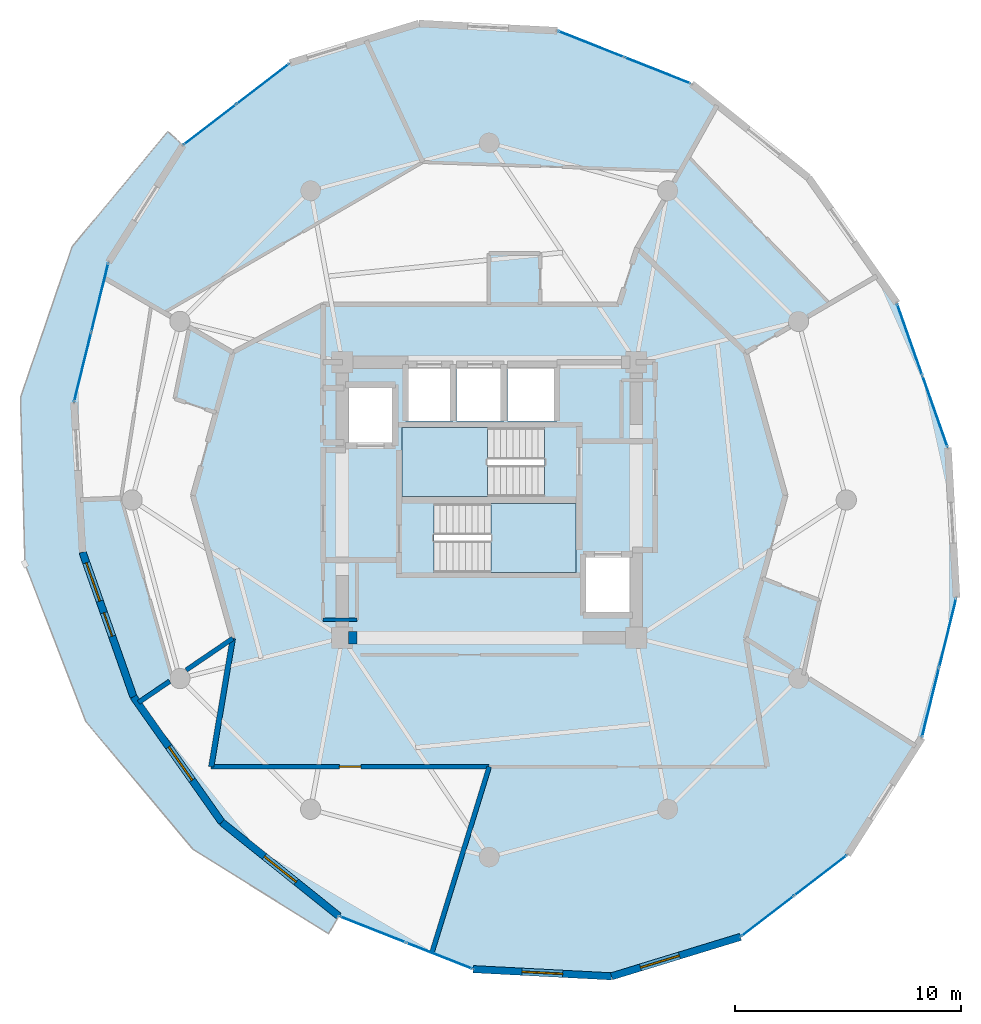
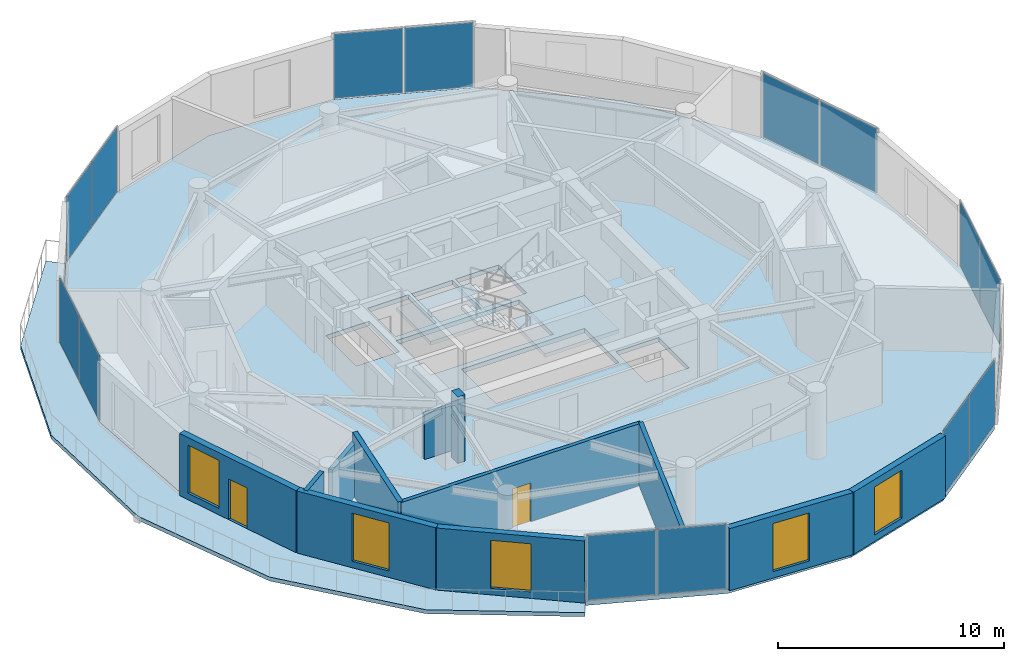
# One storey, part 13 of 18: 14 plates, 12 walls, 5 windows, 4 slabs, 2 doors, 7 openings, 9 elements without a shape of their own.
"""IFC4 building model written with IfcOpenShell, lengths in metres."""

from ifc_helpers import new_model, si_unit, direction, frame, frame_2d, origin, origin_2d, place, context, subcontext, project, spatial, polyline, rectangle, outline, extrude, source, transform, mapped, material, layer, layer_set, type_object, element, fill, aggregate, save


model = new_model("IFC4")

# Units and contexts
model_context = context("Model", 3, precision=1e-05, world=origin(), true_north=direction((0.0, 1.0)))
body_context = subcontext(model_context, "Body", "Model", "MODEL_VIEW")
ifc_project = project(units=[si_unit("LENGTHUNIT", "METRE"), si_unit("AREAUNIT", "SQUARE_METRE"), si_unit("VOLUMEUNIT", "CUBIC_METRE"), si_unit("PLANEANGLEUNIT", "RADIAN"), si_unit("MASSUNIT", "GRAM", prefix="KILO")], contexts=[model_context])

# Site, building, storey
site_placement = place(None, origin())
site = spatial("IfcSite", under=ifc_project, at=site_placement, CompositionType="ELEMENT")
building_placement = place(site_placement, origin())
building = spatial("IfcBuilding", under=site, at=building_placement, Name="Solvirekh Grand Hotel", CompositionType="ELEMENT")
storey_placement = place(building_placement, frame((0.0, 0.0, 198.39990234375)))
storey = spatial("IfcBuildingStorey", under=building, at=storey_placement, Name="L51", CompositionType="ELEMENT", Elevation=198.39990234375)

# Slab
ifc_material_1 = material(Name="Concrete C50/60", Category="concrete")
ifc_layer_1 = layer(ifc_material_1, 0.215087890625)
ifc_layer_set_1 = layer_set([ifc_layer_1], Name="Concrete C50/60")
slab_type_1 = type_object("IfcSlabType", Name="ExtCrescentBalc_215", PredefinedType="FLOOR", material=ifc_layer_set_1)
slab_1_placement = place(storey_placement, frame((0.0, 0.0, -0.21484375)))
element("IfcSlab", 1, at=slab_1_placement, inside=storey, type_object=slab_type_1, Name="L51 sweeping crescent balcony slab", PredefinedType="FLOOR", context=body_context, shape_type="SweptSolid", body=[
    extrude(outline(polyline([(-14.215087890625, 16.300048828125), (-18.451904296875, 11.202880859375), (-20.73388671875, 4.529052734375), (-20.5390625, -2.823974609375), (-17.844970703125, -9.7958984375), (-13.10693359375, -15.451904296875), (-7.10595703125, -19.18505859375), (-6.652099609375, -18.407958984375), (-11.830078125, -14.256103515625), (-15.737060546875, -8.7080078125), (-17.990966796875, -2.30908203125), (-18.37109375, 4.31689453125), (-16.841064453125, 10.52001953125), (-13.549072265625, 15.694091796875), (-14.215087890625, 16.300048828125)])), origin(), (0.0, 0.0, 1.0), 0.21484375),
])

# Stair, slab
ifc_material_2 = material(Name="Concrete C40/50", Category="concrete")
stair_type = type_object("IfcStairType", Name="Stair_Core_1450", PredefinedType="HALF_TURN_STAIR", material=ifc_material_2)
stair_1_placement = place(storey_placement, origin())
stair_1 = element("IfcStair", 2, at=stair_1_placement, inside=storey, type_object=stair_type, Name="L51 Enclosed exit stair ST-1", PredefinedType="HALF_TURN_STAIR")
ifc_layer_2 = layer(ifc_material_2, 0.199951171875)
ifc_layer_set_2 = layer_set([ifc_layer_2], Name="Concrete C40/50")
slab_type_2 = type_object("IfcSlabType", Name="Landing_Stair_200", PredefinedType="LANDING", material=ifc_layer_set_2)
slab_2_placement = place(storey_placement, frame((0.0, 0.0, 1.60009765625)))
slab_2 = element("IfcSlab", 3, at=slab_2_placement, type_object=slab_type_2, Name="ST-1 landing 1", PredefinedType="LANDING", context=body_context, shape_type="SweptSolid", body=[
    extrude(outline(polyline([(0.070068359375, -3.199951171875), (3.85009765625, -3.199951171875), (3.85009765625, -0.14990234375), (0.070068359375, -0.14990234375), (0.070068359375, -3.199951171875)])), origin(), (0.0, 0.0, 1.0), 0.199951171875),
])
aggregate(stair_1, [slab_2])

stair_2_placement = place(storey_placement, origin())
stair_2 = element("IfcStair", 4, at=stair_2_placement, inside=storey, type_object=stair_type, Name="L51 Enclosed exit stair ST-2", PredefinedType="HALF_TURN_STAIR")
slab_3_placement = place(storey_placement, frame((0.0, 0.0, 1.60009765625)))
slab_3 = element("IfcSlab", 5, at=slab_3_placement, type_object=slab_type_2, Name="ST-2 landing 1", PredefinedType="LANDING", context=body_context, shape_type="SweptSolid", body=[
    extrude(outline(polyline([(-0.070068359375, 3.199951171875), (-3.85009765625, 3.199951171875), (-3.85009765625, 0.14990234375), (-0.070068359375, 0.14990234375), (-0.070068359375, 3.199951171875)])), origin(), (0.0, 0.0, 1.0), 0.199951171875),
])
aggregate(stair_2, [slab_3])

# Slab
ifc_layer_3 = layer(ifc_material_2, 0.239990234375)
ifc_layer_set_3 = layer_set([ifc_layer_3], Name="Concrete C40/50")
slab_type_3 = type_object("IfcSlabType", Name="Slab_GuestZ3_240", PredefinedType="FLOOR", material=ifc_layer_set_3)
slab_4_placement = place(storey_placement, frame((0.0, 0.0, -0.239990234375)))
element("IfcSlab", 6, at=slab_4_placement, inside=storey, type_object=slab_type_3, Name="L51 structural floor slab", PredefinedType="FLOOR", context=body_context, shape_type="SweptSolid", body=[
    extrude(outline(polyline([(11.118896484375, -19.3310546875), (15.84912109375, -15.694091796875), (19.14111328125, -10.52001953125), (20.6708984375, -4.31689453125), (20.291015625, 2.30908203125), (18.037109375, 8.7080078125), (14.1298828125, 14.256103515625), (8.951904296875, 18.407958984375), (3.010986328125, 20.758056640625), (-3.113037109375, 21.075927734375), (-8.819091796875, 19.3310546875), (-13.549072265625, 15.694091796875), (-16.841064453125, 10.52001953125), (-18.37109375, 4.31689453125), (-17.990966796875, -2.30908203125), (-15.737060546875, -8.7080078125), (-11.830078125, -14.256103515625), (-6.652099609375, -18.407958984375), (-0.7109375, -20.758056640625), (5.4130859375, -21.075927734375), (11.118896484375, -19.3310546875)]), holes=[polyline([(-2.444091796875, -0.14990234375), (3.85009765625, -0.14990234375), (3.85009765625, -3.199951171875), (-2.444091796875, -3.199951171875), (-2.444091796875, -0.14990234375)]), polyline([(2.444091796875, 0.14990234375), (-3.85009765625, 0.14990234375), (-3.85009765625, 3.199951171875), (2.444091796875, 3.199951171875), (2.444091796875, 0.14990234375)]), polyline([(-3.699951171875, 6.0), (-1.60009765625, 6.0), (-1.60009765625, 3.5), (-3.699951171875, 3.5), (-3.699951171875, 6.0)]), polyline([(-1.449951171875, 6.0), (0.64990234375, 6.0), (0.64990234375, 3.5), (-1.449951171875, 3.5), (-1.449951171875, 6.0)]), polyline([(0.800048828125, 6.0), (3.0, 6.0), (3.0, 3.5), (0.800048828125, 3.5), (0.800048828125, 6.0)]), polyline([(-6.35009765625, 5.10009765625), (-4.14990234375, 5.10009765625), (-4.14990234375, 2.39990234375), (-6.35009765625, 2.39990234375), (-6.35009765625, 5.10009765625)]), polyline([(4.14990234375, -2.39990234375), (6.35009765625, -2.39990234375), (6.35009765625, -5.10009765625), (4.14990234375, -5.10009765625), (4.14990234375, -2.39990234375)])]), origin(), (0.0, 0.0, 1.0), 0.239990234375),
])

# Curtain wall, plates
ifc_material_3 = material(Name="Anodized Bronze Aluminium 6063-T6", Category="aluminium")
ifc_layer_4 = layer(ifc_material_3, 0.159912109375)
ifc_layer_set_4 = layer_set([ifc_layer_4], Name="Anodized Bronze Aluminium 6063-T6")
curtain_wall_type = type_object("IfcCurtainWallType", Name="CW_Sys4_HighZoneFlushBronzeCW", PredefinedType="NOTDEFINED", material=ifc_layer_set_4)
curtain_wall_1_placement = place(storey_placement, origin())
curtain_wall_1 = element("IfcCurtainWall", 7, at=curtain_wall_1_placement, inside=storey, type_object=curtain_wall_type, Name="L51 unitised bronze-glass curtain wall CW-L51-C01", PredefinedType="NOTDEFINED")
ifc_material_4 = material(Name="Low-E Tinted Bronze Laminated Glass", Category="aluminium")
ifc_layer_5 = layer(ifc_material_4, 0.033935546875)
ifc_layer_set_5 = layer_set([ifc_layer_5], Name="Low-E Tinted Bronze Laminated Glass")
plate_type = type_object("IfcPlateType", Name="CWPanel_High_34", PredefinedType="CURTAIN_PANEL", material=ifc_layer_set_5)
shared_shape_1 = source(origin(), body_context, "Body", "SweptSolid", [
    extrude(rectangle(XDim=2.893310546875, YDim=0.033935546875, at=origin_2d()), origin(), (0.0, 0.0, 1.0), 3.489990234375),
])
plate_1_placement = place(storey_placement, frame((12.3134765625, -18.41259765625, 0.05517578125), z_axis=(0.0, 0.0, 1.0), x_axis=(0.792742352501, 0.609556857521, 0.0)))
plate_1 = element("IfcPlate", 8, at=plate_1_placement, type_object=plate_type, Name="U04 panel 1.1", PredefinedType="CURTAIN_PANEL", context=body_context, shape_type="MappedRepresentation", body=[
    mapped(shared_shape_1, transform((0.0, 0.0, 0.0), x_axis=(1.0, 0.0, 0.0), y_axis=(0.0, 1.0, 0.0), z_axis=(0.0, 0.0, 1.0), scale=1.0)),
])
plate_2_placement = place(storey_placement, frame((14.654541015625, -16.6123046875, 0.05517578125), z_axis=(0.0, 0.0, 1.0), x_axis=(0.792742352501, 0.609556857521, 0.0)))
plate_2 = element("IfcPlate", 9, at=plate_2_placement, type_object=plate_type, Name="U04 panel 2.1", PredefinedType="CURTAIN_PANEL", context=body_context, shape_type="MappedRepresentation", body=[
    mapped(shared_shape_1, transform((0.0, 0.0, 0.0), x_axis=(1.0, 0.0, 0.0), y_axis=(0.0, 1.0, 0.0), z_axis=(0.0, 0.0, 1.0), scale=1.0)),
])
aggregate(curtain_wall_1, [plate_1, plate_2])

curtain_wall_2_placement = place(storey_placement, origin())
curtain_wall_2 = element("IfcCurtainWall", 10, at=curtain_wall_2_placement, inside=storey, type_object=curtain_wall_type, Name="L51 unitised bronze-glass curtain wall CW-L51-C11", PredefinedType="NOTDEFINED")
plate_3_placement = place(storey_placement, frame((-10.013427734375, 18.41259765625, 0.05517578125), z_axis=(0.0, 0.0, 1.0), x_axis=(-0.792742352501, -0.609556857521, 0.0)))
plate_3 = element("IfcPlate", 11, at=plate_3_placement, type_object=plate_type, Name="U04 panel 1.1", PredefinedType="CURTAIN_PANEL", context=body_context, shape_type="MappedRepresentation", body=[
    mapped(shared_shape_1, transform((0.0, 0.0, 0.0), x_axis=(1.0, 0.0, 0.0), y_axis=(0.0, 1.0, 0.0), z_axis=(0.0, 0.0, 1.0), scale=1.0)),
])
plate_4_placement = place(storey_placement, frame((-12.3544921875, 16.6123046875, 0.05517578125), z_axis=(0.0, 0.0, 1.0), x_axis=(-0.792742352501, -0.609556857521, 0.0)))
plate_4 = element("IfcPlate", 12, at=plate_4_placement, type_object=plate_type, Name="U04 panel 2.1", PredefinedType="CURTAIN_PANEL", context=body_context, shape_type="MappedRepresentation", body=[
    mapped(shared_shape_1, transform((0.0, 0.0, 0.0), x_axis=(1.0, 0.0, 0.0), y_axis=(0.0, 1.0, 0.0), z_axis=(0.0, 0.0, 1.0), scale=1.0)),
])
aggregate(curtain_wall_2, [plate_3, plate_4])

curtain_wall_3_placement = place(storey_placement, origin())
curtain_wall_3 = element("IfcCurtainWall", 13, at=curtain_wall_3_placement, inside=storey, type_object=curtain_wall_type, Name="L51 unitised bronze-glass curtain wall CW-L51-C03", PredefinedType="NOTDEFINED")
shared_shape_2 = source(origin(), body_context, "Body", "SweptSolid", [
    extrude(rectangle(XDim=3.1044921875, YDim=0.033935546875, at=origin_2d()), origin(), (0.0, 0.0, 1.0), 3.489990234375),
])
plate_5_placement = place(storey_placement, frame((19.527099609375, -8.95458984375, 0.05517578125), z_axis=(0.0, 0.0, 1.0), x_axis=(0.239477651398, 0.970901876855, 0.0)))
plate_5 = element("IfcPlate", 14, at=plate_5_placement, type_object=plate_type, Name="U04 panel 1.1", PredefinedType="CURTAIN_PANEL", context=body_context, shape_type="MappedRepresentation", body=[
    mapped(shared_shape_2, transform((0.0, 0.0, 0.0), x_axis=(1.0, 0.0, 0.0), y_axis=(0.0, 1.0, 0.0), z_axis=(0.0, 0.0, 1.0), scale=1.0)),
])
plate_6_placement = place(storey_placement, frame((20.284912109375, -5.88232421875, 0.05517578125), z_axis=(0.0, 0.0, 1.0), x_axis=(0.239477651398, 0.970901876855, 0.0)))
plate_6 = element("IfcPlate", 15, at=plate_6_placement, type_object=plate_type, Name="U04 panel 2.1", PredefinedType="CURTAIN_PANEL", context=body_context, shape_type="MappedRepresentation", body=[
    mapped(shared_shape_2, transform((0.0, 0.0, 0.0), x_axis=(1.0, 0.0, 0.0), y_axis=(0.0, 1.0, 0.0), z_axis=(0.0, 0.0, 1.0), scale=1.0)),
])
aggregate(curtain_wall_3, [plate_5, plate_6])

curtain_wall_4_placement = place(storey_placement, origin())
curtain_wall_4 = element("IfcCurtainWall", 16, at=curtain_wall_4_placement, inside=storey, type_object=curtain_wall_type, Name="L51 unitised bronze-glass curtain wall CW-L51-C08", PredefinedType="NOTDEFINED")
plate_7_placement = place(storey_placement, frame((7.452880859375, 19.0009765625, 0.05517578125), z_axis=(0.0, 0.0, 1.0), x_axis=(-0.929894743584, 0.367825727559, 0.0)))
plate_7 = element("IfcPlate", 17, at=plate_7_placement, type_object=plate_type, Name="U04 panel 1.1", PredefinedType="CURTAIN_PANEL", context=body_context, shape_type="MappedRepresentation", body=[
    mapped(shared_shape_2, transform((0.0, 0.0, 0.0), x_axis=(1.0, 0.0, 0.0), y_axis=(0.0, 1.0, 0.0), z_axis=(0.0, 0.0, 1.0), scale=1.0)),
])
plate_8_placement = place(storey_placement, frame((4.51025390625, 20.1650390625, 0.05517578125), z_axis=(0.0, 0.0, 1.0), x_axis=(-0.929894743584, 0.367825727559, 0.0)))
plate_8 = element("IfcPlate", 18, at=plate_8_placement, type_object=plate_type, Name="U04 panel 2.1", PredefinedType="CURTAIN_PANEL", context=body_context, shape_type="MappedRepresentation", body=[
    mapped(shared_shape_2, transform((0.0, 0.0, 0.0), x_axis=(1.0, 0.0, 0.0), y_axis=(0.0, 1.0, 0.0), z_axis=(0.0, 0.0, 1.0), scale=1.0)),
])
aggregate(curtain_wall_4, [plate_7, plate_8])

curtain_wall_5_placement = place(storey_placement, origin())
curtain_wall_5 = element("IfcCurtainWall", 19, at=curtain_wall_5_placement, inside=storey, type_object=curtain_wall_type, Name="L51 unitised bronze-glass curtain wall CW-L51-C13", PredefinedType="NOTDEFINED")
plate_9_placement = place(storey_placement, frame((-17.22705078125, 8.95458984375, 0.05517578125), z_axis=(0.0, 0.0, 1.0), x_axis=(-0.239477651398, -0.970901876855, 0.0)))
plate_9 = element("IfcPlate", 20, at=plate_9_placement, type_object=plate_type, Name="U04 panel 1.1", PredefinedType="CURTAIN_PANEL", context=body_context, shape_type="MappedRepresentation", body=[
    mapped(shared_shape_2, transform((0.0, 0.0, 0.0), x_axis=(1.0, 0.0, 0.0), y_axis=(0.0, 1.0, 0.0), z_axis=(0.0, 0.0, 1.0), scale=1.0)),
])
plate_10_placement = place(storey_placement, frame((-17.98486328125, 5.88232421875, 0.05517578125), z_axis=(0.0, 0.0, 1.0), x_axis=(-0.239477651398, -0.970901876855, 0.0)))
plate_10 = element("IfcPlate", 21, at=plate_10_placement, type_object=plate_type, Name="U04 panel 2.1", PredefinedType="CURTAIN_PANEL", context=body_context, shape_type="MappedRepresentation", body=[
    mapped(shared_shape_2, transform((0.0, 0.0, 0.0), x_axis=(1.0, 0.0, 0.0), y_axis=(0.0, 1.0, 0.0), z_axis=(0.0, 0.0, 1.0), scale=1.0)),
])
aggregate(curtain_wall_5, [plate_9, plate_10])

curtain_wall_6_placement = place(storey_placement, origin())
curtain_wall_6 = element("IfcCurtainWall", 22, at=curtain_wall_6_placement, inside=storey, type_object=curtain_wall_type, Name="L51 unitised bronze-glass curtain wall CW-L51-C18", PredefinedType="NOTDEFINED")
plate_11_placement = place(storey_placement, frame((-5.15283203125, -19.0009765625, 0.05517578125), z_axis=(0.0, 0.0, 1.0), x_axis=(0.929894743584, -0.367825727559, 0.0)))
plate_11 = element("IfcPlate", 23, at=plate_11_placement, type_object=plate_type, Name="U04 panel 1.1", PredefinedType="CURTAIN_PANEL", context=body_context, shape_type="MappedRepresentation", body=[
    mapped(shared_shape_2, transform((0.0, 0.0, 0.0), x_axis=(1.0, 0.0, 0.0), y_axis=(0.0, 1.0, 0.0), z_axis=(0.0, 0.0, 1.0), scale=1.0)),
])
plate_12_placement = place(storey_placement, frame((-2.210205078125, -20.1650390625, 0.05517578125), z_axis=(0.0, 0.0, 1.0), x_axis=(0.929894743584, -0.367825727559, 0.0)))
plate_12 = element("IfcPlate", 24, at=plate_12_placement, type_object=plate_type, Name="U04 panel 2.1", PredefinedType="CURTAIN_PANEL", context=body_context, shape_type="MappedRepresentation", body=[
    mapped(shared_shape_2, transform((0.0, 0.0, 0.0), x_axis=(1.0, 0.0, 0.0), y_axis=(0.0, 1.0, 0.0), z_axis=(0.0, 0.0, 1.0), scale=1.0)),
])
aggregate(curtain_wall_6, [plate_11, plate_12])

curtain_wall_7_placement = place(storey_placement, origin())
curtain_wall_7 = element("IfcCurtainWall", 25, at=curtain_wall_7_placement, inside=storey, type_object=curtain_wall_type, Name="L51 unitised bronze-glass curtain wall CW-L51-C05", PredefinedType="NOTDEFINED")
shared_shape_3 = source(origin(), body_context, "Body", "SweptSolid", [
    extrude(rectangle(XDim=3.30224609375, YDim=0.033935546875, at=origin_2d()), origin(), (0.0, 0.0, 1.0), 3.489990234375),
])
plate_13_placement = place(storey_placement, frame((19.722412109375, 3.9228515625, 0.05517578125), z_axis=(0.0, 0.0, 1.0), x_axis=(-0.332234091508, 0.943196961636, 0.0)))
plate_13 = element("IfcPlate", 26, at=plate_13_placement, type_object=plate_type, Name="U04 panel 1.1", PredefinedType="CURTAIN_PANEL", context=body_context, shape_type="MappedRepresentation", body=[
    mapped(shared_shape_3, transform((0.0, 0.0, 0.0), x_axis=(1.0, 0.0, 0.0), y_axis=(0.0, 1.0, 0.0), z_axis=(0.0, 0.0, 1.0), scale=1.0)),
])
plate_14_placement = place(storey_placement, frame((18.60546875, 7.093994140625, 0.05517578125), z_axis=(0.0, 0.0, 1.0), x_axis=(-0.332234091508, 0.943196961636, 0.0)))
plate_14 = element("IfcPlate", 27, at=plate_14_placement, type_object=plate_type, Name="U04 panel 2.1", PredefinedType="CURTAIN_PANEL", context=body_context, shape_type="MappedRepresentation", body=[
    mapped(shared_shape_3, transform((0.0, 0.0, 0.0), x_axis=(1.0, 0.0, 0.0), y_axis=(0.0, 1.0, 0.0), z_axis=(0.0, 0.0, 1.0), scale=1.0)),
])
aggregate(curtain_wall_7, [plate_13, plate_14])

# Wall
ifc_layer_6 = layer(ifc_material_1, 0.550048828125)
ifc_layer_set_6 = layer_set([ifc_layer_6], Name="Concrete C50/60")
wall_type_1 = type_object("IfcWallType", Name="CoreWall_RC550", PredefinedType="SHEAR", material=ifc_layer_set_6)
wall_1_placement = place(storey_placement, frame((-6.22509765625, -6.10009765625, 0.0), z_axis=(0.0, 0.0, 1.0), x_axis=(1.0, 0.0, 0.0)))
element("IfcWall", 28, at=wall_1_placement, inside=storey, type_object=wall_type_1, Name="L51 core corner shear wall SW-S", PredefinedType="SHEAR", context=body_context, shape_type="SweptSolid", body=[
    extrude(rectangle(XDim=0.375, YDim=0.550048828125, at=frame_2d((0.1875, 0.0))), origin(), (0.0, 0.0, 1.0), 3.60009765625),
])

# Wall, openings, door, window
ifc_material_5 = material(Name="Precast concrete C45/55", Category="concrete")
ifc_layer_7 = layer(ifc_material_5, 0.320068359375)
ifc_layer_set_7 = layer_set([ifc_layer_7], Name="Precast concrete C45/55")
wall_type_2 = type_object("IfcWallType", Name="ExtLobbyWall_RC320", PredefinedType="SOLIDWALL", material=ifc_layer_set_7)
wall_2_placement = place(storey_placement, frame((-15.737060546875, -8.7080078125, 0.0), z_axis=(0.0, 0.0, 1.0), x_axis=(-0.332225226194, 0.94320008433, 0.0)))
wall_2 = element("IfcWall", 29, at=wall_2_placement, inside=storey, type_object=wall_type_2, Name="L51 exterior structural wall chord 15", PredefinedType="SOLIDWALL", context=body_context, shape_type="SweptSolid", body=[
    extrude(rectangle(XDim=6.7841796875, YDim=0.320068359375, at=frame_2d((3.39208984375, 0.0))), origin(), (0.0, 0.0, 1.0), 3.360107421875),
])
opening_1_placement = place(wall_2_placement, frame((4.488037109375, 0.0, 0.35009765625)))
opening_1 = element("IfcOpeningElement", 30, at=opening_1_placement, cuts=wall_2, Name="Opening W02", PredefinedType="OPENING", context=body_context, shape_type="SweptSolid", body=[
    extrude(rectangle(XDim=1.800048828125, YDim=2.60009765625, at=frame_2d((0.89990234375, 1.300048828125))), frame((0.0, 0.169921875, 0.0), z_axis=(0.0, -1.0, 0.0), x_axis=(1.0, 0.0, 0.0)), (0.0, 0.0, 1.0), 0.340087890625),
])
opening_2_placement = place(wall_2_placement, frame((2.842041015625, 0.0, 0.0)))
opening_2 = element("IfcOpeningElement", 31, at=opening_2_placement, cuts=wall_2, Name="Opening D03", PredefinedType="OPENING", context=body_context, shape_type="SweptSolid", body=[
    extrude(rectangle(XDim=1.10009765625, YDim=2.199951171875, at=frame_2d((0.550048828125, 1.10009765625))), frame((0.0, 0.169921875, 0.0), z_axis=(0.0, -1.0, 0.0), x_axis=(1.0, 0.0, 0.0)), (0.0, 0.0, 1.0), 0.340087890625),
])
door_type_1 = type_object("IfcDoorType", Name="Door_ExtBalcony_1100X2200", OperationType="NOTDEFINED", PredefinedType="DOOR", material=ifc_material_3)
door_1_placement = place(opening_2_placement, origin())
door_1 = element("IfcDoor", 32, at=door_1_placement, inside=storey, type_object=door_type_1, Name="L51 Crescent balcony glazed door (15)", OperationType="SINGLE_SWING_LEFT", OverallHeight=2.199951171875, OverallWidth=1.10009765625, PredefinedType="DOOR", context=body_context, shape_type="SweptSolid", body=[
    extrude(rectangle(XDim=1.10009765625, YDim=2.199951171875, at=frame_2d((0.550048828125, 1.10009765625))), frame((0.0, 0.02490234375, 0.0), z_axis=(0.0, -1.0, 0.0), x_axis=(1.0, 0.0, 0.0)), (0.0, 0.0, 1.0), 0.050048828125),
])
fill(opening_2, door_1)
window_type = type_object("IfcWindowType", Name="Win_LobbyExt_1800X2600", PartitioningType="SINGLE_PANEL", PredefinedType="WINDOW", material=ifc_material_4)
window_1_placement = place(opening_1_placement, origin())
window_1 = element("IfcWindow", 33, at=window_1_placement, inside=storey, type_object=window_type, Name="L51 exterior side window 15", OverallHeight=2.60009765625, OverallWidth=1.800048828125, PartitioningType="SINGLE_PANEL", PredefinedType="WINDOW", context=body_context, shape_type="SweptSolid", body=[
    extrude(rectangle(XDim=1.800048828125, YDim=2.60009765625, at=frame_2d((0.89990234375, 1.300048828125))), frame((0.0, 0.030029296875, 0.0), z_axis=(0.0, -1.0, 0.0), x_axis=(1.0, 0.0, 0.0)), (0.0, 0.0, 1.0), 0.06005859375),
])
fill(opening_1, window_1)

# Wall, opening, window
wall_3_placement = place(storey_placement, frame((-11.830078125, -14.256103515625, 0.0), z_axis=(0.0, 0.0, 1.0), x_axis=(-0.575766085624, 0.817614465775, 0.0)))
wall_3 = element("IfcWall", 34, at=wall_3_placement, inside=storey, type_object=wall_type_2, Name="L51 exterior structural wall chord 16", PredefinedType="SOLIDWALL", context=body_context, shape_type="SweptSolid", body=[
    extrude(rectangle(XDim=6.78564453125, YDim=0.320068359375, at=frame_2d((3.392822265625, 0.0))), origin(), (0.0, 0.0, 1.0), 3.360107421875),
])
opening_3_placement = place(wall_3_placement, frame((2.277099609375, 0.0, 0.35009765625)))
opening_3 = element("IfcOpeningElement", 35, at=opening_3_placement, cuts=wall_3, Name="Opening W02", PredefinedType="OPENING", context=body_context, shape_type="SweptSolid", body=[
    extrude(rectangle(XDim=1.800048828125, YDim=2.60009765625, at=frame_2d((0.89990234375, 1.300048828125))), frame((0.0, 0.169921875, 0.0), z_axis=(0.0, -1.0, 0.0), x_axis=(1.0, 0.0, 0.0)), (0.0, 0.0, 1.0), 0.340087890625),
])
window_2_placement = place(opening_3_placement, origin())
window_2 = element("IfcWindow", 36, at=window_2_placement, inside=storey, type_object=window_type, Name="L51 panoramic bronze-framed window 16", OverallHeight=2.60009765625, OverallWidth=1.800048828125, PartitioningType="SINGLE_PANEL", PredefinedType="WINDOW", context=body_context, shape_type="SweptSolid", body=[
    extrude(rectangle(XDim=1.800048828125, YDim=2.60009765625, at=frame_2d((0.89990234375, 1.300048828125))), frame((0.0, 0.030029296875, 0.0), z_axis=(0.0, -1.0, 0.0), x_axis=(1.0, 0.0, 0.0)), (0.0, 0.0, 1.0), 0.06005859375),
])
fill(opening_3, window_2)

wall_4_placement = place(storey_placement, frame((-6.652099609375, -18.407958984375, 0.0), z_axis=(0.0, 0.0, 1.0), x_axis=(-0.780172101925, 0.625564937778, 0.0)))
wall_4 = element("IfcWall", 37, at=wall_4_placement, inside=storey, type_object=wall_type_2, Name="L51 exterior structural wall chord 17", PredefinedType="SOLIDWALL", context=body_context, shape_type="SweptSolid", body=[
    extrude(rectangle(XDim=6.636962890625, YDim=0.320068359375, at=frame_2d((3.318359375, 0.0))), origin(), (0.0, 0.0, 1.0), 3.360107421875),
])
opening_4_placement = place(wall_4_placement, frame((2.4189453125, 0.0, 0.35009765625)))
opening_4 = element("IfcOpeningElement", 38, at=opening_4_placement, cuts=wall_4, Name="Opening W02", PredefinedType="OPENING", context=body_context, shape_type="SweptSolid", body=[
    extrude(rectangle(XDim=1.800048828125, YDim=2.60009765625, at=frame_2d((0.89990234375, 1.300048828125))), frame((0.0, 0.169921875, 0.0), z_axis=(0.0, -1.0, 0.0), x_axis=(1.0, 0.0, 0.0)), (0.0, 0.0, 1.0), 0.340087890625),
])
window_3_placement = place(opening_4_placement, origin())
window_3 = element("IfcWindow", 39, at=window_3_placement, inside=storey, type_object=window_type, Name="L51 panoramic bronze-framed window 17", OverallHeight=2.60009765625, OverallWidth=1.800048828125, PartitioningType="SINGLE_PANEL", PredefinedType="WINDOW", context=body_context, shape_type="SweptSolid", body=[
    extrude(rectangle(XDim=1.800048828125, YDim=2.60009765625, at=frame_2d((0.89990234375, 1.300048828125))), frame((0.0, 0.030029296875, 0.0), z_axis=(0.0, -1.0, 0.0), x_axis=(1.0, 0.0, 0.0)), (0.0, 0.0, 1.0), 0.06005859375),
])
fill(opening_4, window_3)

wall_5_placement = place(storey_placement, frame((5.4130859375, -21.075927734375, 0.0), z_axis=(0.0, 0.0, 1.0), x_axis=(-0.998655620393, 0.051835816367, 0.0)))
wall_5 = element("IfcWall", 40, at=wall_5_placement, inside=storey, type_object=wall_type_2, Name="L51 exterior structural wall chord 19", PredefinedType="SOLIDWALL", context=body_context, shape_type="SweptSolid", body=[
    extrude(rectangle(XDim=6.13232421875, YDim=0.320068359375, at=frame_2d((3.066162109375, 0.0))), origin(), (0.0, 0.0, 1.0), 3.360107421875),
])
opening_5_placement = place(wall_5_placement, frame((2.166015625, 0.0, 0.35009765625)))
opening_5 = element("IfcOpeningElement", 41, at=opening_5_placement, cuts=wall_5, Name="Opening W02", PredefinedType="OPENING", context=body_context, shape_type="SweptSolid", body=[
    extrude(rectangle(XDim=1.800048828125, YDim=2.60009765625, at=frame_2d((0.89990234375, 1.300048828125))), frame((0.0, 0.169921875, 0.0), z_axis=(0.0, -1.0, 0.0), x_axis=(1.0, 0.0, 0.0)), (0.0, 0.0, 1.0), 0.340087890625),
])
window_4_placement = place(opening_5_placement, origin())
window_4 = element("IfcWindow", 42, at=window_4_placement, inside=storey, type_object=window_type, Name="L51 panoramic bronze-framed window 19", OverallHeight=2.60009765625, OverallWidth=1.800048828125, PartitioningType="SINGLE_PANEL", PredefinedType="WINDOW", context=body_context, shape_type="SweptSolid", body=[
    extrude(rectangle(XDim=1.800048828125, YDim=2.60009765625, at=frame_2d((0.89990234375, 1.300048828125))), frame((0.0, 0.030029296875, 0.0), z_axis=(0.0, -1.0, 0.0), x_axis=(1.0, 0.0, 0.0)), (0.0, 0.0, 1.0), 0.06005859375),
])
fill(opening_5, window_4)

wall_6_placement = place(storey_placement, frame((11.118896484375, -19.3310546875, 0.0), z_axis=(0.0, 0.0, 1.0), x_axis=(-0.956284524247, -0.292437871498, 0.0)))
wall_6 = element("IfcWall", 43, at=wall_6_placement, inside=storey, type_object=wall_type_2, Name="L51 exterior structural wall chord 20", PredefinedType="SOLIDWALL", context=body_context, shape_type="SweptSolid", body=[
    extrude(rectangle(XDim=5.966552734375, YDim=0.320068359375, at=frame_2d((2.9833984375, 0.0))), origin(), (0.0, 0.0, 1.0), 3.360107421875),
])
opening_6_placement = place(wall_6_placement, frame((2.827880859375, 0.0, 0.35009765625)))
opening_6 = element("IfcOpeningElement", 44, at=opening_6_placement, cuts=wall_6, Name="Opening W02", PredefinedType="OPENING", context=body_context, shape_type="SweptSolid", body=[
    extrude(rectangle(XDim=1.800048828125, YDim=2.60009765625, at=frame_2d((0.89990234375, 1.300048828125))), frame((0.0, 0.169921875, 0.0), z_axis=(0.0, -1.0, 0.0), x_axis=(1.0, 0.0, 0.0)), (0.0, 0.0, 1.0), 0.340087890625),
])
window_5_placement = place(opening_6_placement, origin())
window_5 = element("IfcWindow", 45, at=window_5_placement, inside=storey, type_object=window_type, Name="L51 panoramic bronze-framed window 20", OverallHeight=2.60009765625, OverallWidth=1.800048828125, PartitioningType="SINGLE_PANEL", PredefinedType="WINDOW", context=body_context, shape_type="SweptSolid", body=[
    extrude(rectangle(XDim=1.800048828125, YDim=2.60009765625, at=frame_2d((0.89990234375, 1.300048828125))), frame((0.0, 0.030029296875, 0.0), z_axis=(0.0, -1.0, 0.0), x_axis=(1.0, 0.0, 0.0)), (0.0, 0.0, 1.0), 0.06005859375),
])
fill(opening_6, window_5)

# Walls
ifc_material_6 = material(Name="Acoustic Gypsum Partition Assembly")
ifc_layer_8 = layer(ifc_material_6, 0.1650390625)
ifc_layer_set_8 = layer_set([ifc_layer_8], Name="Acoustic Gypsum Partition Assembly")
wall_type_3 = type_object("IfcWallType", Name="Part_BOH_165", PredefinedType="PARTITIONING", material=ifc_layer_set_8)
wall_7_placement = place(storey_placement, frame((-7.35009765625, -5.300048828125, 0.0), z_axis=(0.0, 0.0, 1.0), x_axis=(1.0, 0.0, 0.0)))
element("IfcWall", 46, at=wall_7_placement, inside=storey, type_object=wall_type_3, Name="L51 L51 Core Linen Store wall 1", PredefinedType="PARTITIONING", context=body_context, shape_type="SweptSolid", body=[
    extrude(rectangle(XDim=1.5, YDim=0.1650390625, at=frame_2d((0.75, 0.0))), origin(), (0.0, 0.0, 1.0), 2.445068359375),
])
ifc_layer_9 = layer(ifc_material_6, 0.239990234375)
ifc_layer_set_9 = layer_set([ifc_layer_9], Name="Acoustic Gypsum Partition Assembly")
wall_type_4 = type_object("IfcWallType", Name="Part_Corridor_240", PredefinedType="PARTITIONING", material=ifc_layer_set_9)
wall_8_placement = place(storey_placement, frame((-11.344970703125, -6.125, 0.0), z_axis=(0.0, 0.0, 1.0), x_axis=(-0.165960421789, -0.986132414232, 0.0)))
element("IfcWall", 47, at=wall_8_placement, inside=storey, type_object=wall_type_4, Name="L51 L51 Private Tea & Study Lounge corridor wall 1", PredefinedType="PARTITIONING", context=body_context, shape_type="SweptSolid", body=[
    extrude(rectangle(XDim=5.7548828125, YDim=0.239990234375, at=frame_2d((2.87744140625, 0.0))), origin(), (0.0, 0.0, 1.0), 3.360107421875),
])

# Wall, opening, door
ifc_layer_10 = layer(ifc_material_6, 0.18994140625)
ifc_layer_set_10 = layer_set([ifc_layer_10], Name="Acoustic Gypsum Partition Assembly")
wall_type_5 = type_object("IfcWallType", Name="Part_GuestDemise_190", PredefinedType="PARTITIONING", material=ifc_layer_set_10)
wall_9_placement = place(storey_placement, frame((-12.300048828125, -11.800048828125, 0.0), z_axis=(0.0, 0.0, 1.0), x_axis=(1.0, 0.0, 0.0)))
wall_9 = element("IfcWall", 48, at=wall_9_placement, inside=storey, type_object=wall_type_5, Name="L51 L51 Private Tea & Study Lounge entrance wall", PredefinedType="PARTITIONING", context=body_context, shape_type="SweptSolid", body=[
    extrude(rectangle(XDim=12.300048828125, YDim=0.18994140625, at=frame_2d((6.14990234375, 0.0))), origin(), (0.0, 0.0, 1.0), 3.360107421875),
])
opening_7_placement = place(wall_9_placement, frame((5.675048828125, 0.0, 0.0)))
opening_7 = element("IfcOpeningElement", 49, at=opening_7_placement, cuts=wall_9, Name="Opening D10", PredefinedType="OPENING", context=body_context, shape_type="SweptSolid", body=[
    extrude(rectangle(XDim=0.949951171875, YDim=2.10009765625, at=frame_2d((0.47509765625, 1.050048828125))), frame((0.0, 0.10498046875, 0.0), z_axis=(0.0, -1.0, 0.0), x_axis=(1.0, 0.0, 0.0)), (0.0, 0.0, 1.0), 0.2099609375),
])
door_type_2 = type_object("IfcDoorType", Name="Door_RoomInt_950X2100", OperationType="NOTDEFINED", PredefinedType="DOOR", material=ifc_material_3)
door_2_placement = place(opening_7_placement, origin())
door_2 = element("IfcDoor", 50, at=door_2_placement, inside=storey, type_object=door_type_2, Name="L51 L51 Private Tea & Study Lounge entrance door", OperationType="SINGLE_SWING_RIGHT", OverallHeight=2.10009765625, OverallWidth=0.949951171875, PredefinedType="DOOR", context=body_context, shape_type="SweptSolid", body=[
    extrude(rectangle(XDim=0.949951171875, YDim=2.10009765625, at=frame_2d((0.47509765625, 1.050048828125))), frame((0.0, 0.02490234375, 0.0), z_axis=(0.0, -1.0, 0.0), x_axis=(1.0, 0.0, 0.0)), (0.0, 0.0, 1.0), 0.050048828125),
])
fill(opening_7, door_2)

# Walls
ifc_layer_11 = layer(ifc_material_6, 0.2099609375)
ifc_layer_set_11 = layer_set([ifc_layer_11], Name="Acoustic Gypsum Partition Assembly")
wall_type_6 = type_object("IfcWallType", Name="Part_SuiteDemise_210", PredefinedType="PARTITIONING", material=ifc_layer_set_11)
wall_10_placement = place(storey_placement, frame((-11.344970703125, -6.125, 0.0), z_axis=(0.0, 0.0, 1.0), x_axis=(-0.827094432266, -0.562062985896, 0.0)))
element("IfcWall", 51, at=wall_10_placement, inside=storey, type_object=wall_type_6, Name="L51 suite radial wall 8 (A)", PredefinedType="PARTITIONING", context=body_context, shape_type="SweptSolid", body=[
    extrude(rectangle(XDim=2.487060546875, YDim=0.2099609375, at=frame_2d((1.24365234375, 0.0))), origin(), (0.0, 0.0, 1.0), 2.8759765625),
])
wall_11_placement = place(storey_placement, frame((-14.136962890625, -8.02197265625, 0.0), z_axis=(0.0, 0.0, 1.0), x_axis=(-0.827095695336, -0.562061127242, 0.0)))
element("IfcWall", 52, at=wall_11_placement, inside=storey, type_object=wall_type_6, Name="L51 suite radial wall 8 (B)", PredefinedType="PARTITIONING", context=body_context, shape_type="SweptSolid", body=[
    extrude(rectangle(XDim=1.66357421875, YDim=0.2099609375, at=frame_2d((0.831787109375, 0.0))), origin(), (0.0, 0.0, 1.0), 3.360107421875),
])
wall_12_placement = place(storey_placement, frame((0.0, -11.800048828125, 0.0), z_axis=(0.0, 0.0, 1.0), x_axis=(-0.294449811114, -0.955666944461, 0.0)))
element("IfcWall", 53, at=wall_12_placement, inside=storey, type_object=wall_type_6, Name="L51 L51 Private Tea & Study Lounge dividing partition 1", PredefinedType="PARTITIONING", context=body_context, shape_type="SweptSolid", body=[
    extrude(rectangle(XDim=8.578369140625, YDim=0.2099609375, at=frame_2d((4.2890625, 0.0))), origin(), (0.0, 0.0, 1.0), 3.360107421875),
])

save(model, "model.ifc")
